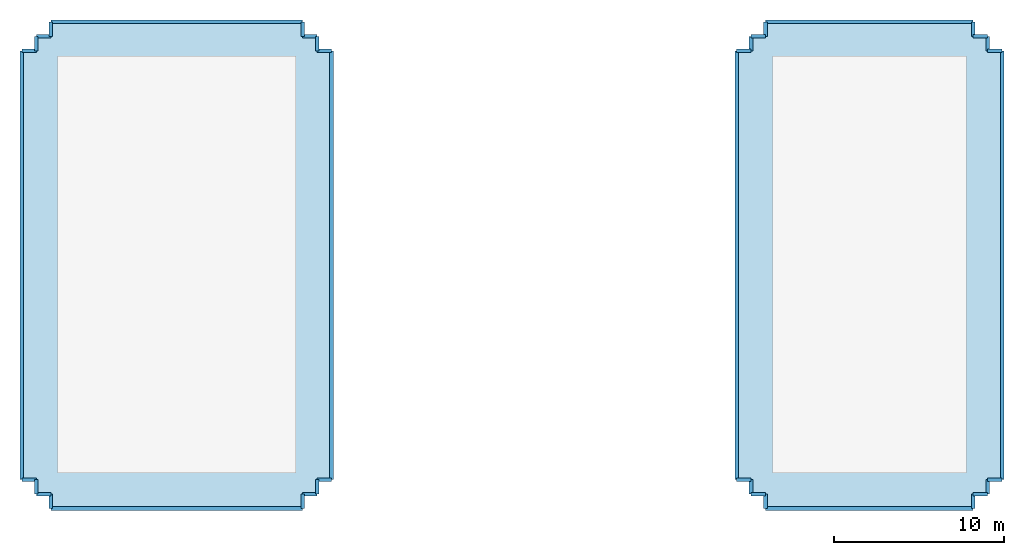
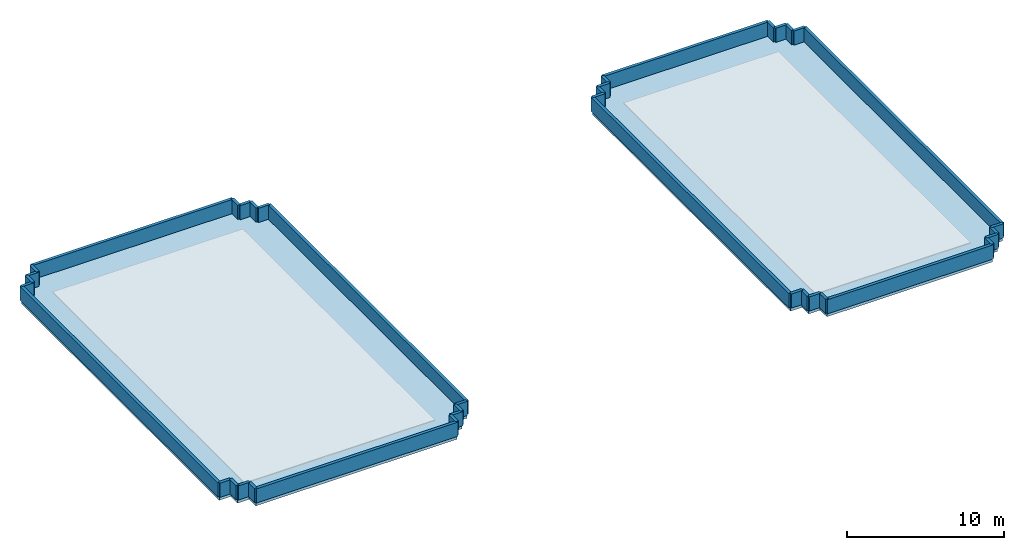
# One storey, part 1 of 2: 40 walls, 2 slabs.
"""IFC4 building model written with IfcOpenShell, lengths in metres."""

from ifc_helpers import new_model, si_unit, direction, frame, frame_2d, origin, place, context, subcontext, project, spatial, polyline, rectangle, outline, extrude, material, layer, layer_set, type_object, element, save


model = new_model("IFC4")

# Units and contexts
model_context = context("Model", 3, precision=1e-05, world=origin(), true_north=direction((0.0, 1.0)))
body_context = subcontext(model_context, "Body", "Model", "MODEL_VIEW")
ifc_project = project(units=[si_unit("LENGTHUNIT", "METRE"), si_unit("AREAUNIT", "SQUARE_METRE"), si_unit("VOLUMEUNIT", "CUBIC_METRE"), si_unit("PLANEANGLEUNIT", "RADIAN"), si_unit("MASSUNIT", "GRAM", prefix="KILO")], contexts=[model_context])

# Site, building, storey
site_placement = place(None, origin())
site = spatial("IfcSite", under=ifc_project, at=site_placement, CompositionType="ELEMENT")
building_placement = place(site_placement, origin())
building = spatial("IfcBuilding", under=site, at=building_placement, Name="Trelvane Seafront Commons", CompositionType="ELEMENT")
storey_placement = place(building_placement, frame((0.0, 0.0, 325.10009765625)))
storey = spatial("IfcBuildingStorey", under=building, at=storey_placement, Name="RF", CompositionType="ELEMENT", Elevation=325.10009765625)

# Slabs
ifc_material_1 = material(Name="Concrete C40/50", Category="concrete")
ifc_layer_1 = layer(ifc_material_1, 0.31005859375, Name="STR-ROOF-310")
ifc_layer_set_1 = layer_set([ifc_layer_1], Name="Concrete C40/50")
slab_type = type_object("IfcSlabType", Name="STR-ROOF-310", PredefinedType="ROOF", material=ifc_layer_set_1)
slab_1_placement = place(storey_placement, frame((0.0, 0.0, -0.300048828125)))
element("IfcSlab", 1, at=slab_1_placement, inside=storey, type_object=slab_type, Name="Crown West Peak Cap Roof Slab RF", PredefinedType="ROOF", context=body_context, shape_type="SweptSolid", body=[
    extrude(outline(polyline([(10.10009765625, 17.39990234375), (24.89990234375, 17.39990234375), (24.89990234375, 18.25), (25.75, 18.25), (25.75, 19.10009765625), (26.60009765625, 19.10009765625), (26.60009765625, 44.300048828125), (25.75, 44.300048828125), (25.75, 45.14990234375), (24.89990234375, 45.14990234375), (24.89990234375, 46.0), (10.10009765625, 46.0), (10.10009765625, 45.14990234375), (9.25, 45.14990234375), (9.25, 44.300048828125), (8.39990234375, 44.300048828125), (8.39990234375, 19.10009765625), (9.25, 19.10009765625), (9.25, 18.25), (10.10009765625, 18.25), (10.10009765625, 17.39990234375)])), origin(), (0.0, 0.0, 1.0), 0.300048828125),
])
slab_2_placement = place(storey_placement, frame((0.0, 0.0, -0.300048828125)))
element("IfcSlab", 2, at=slab_2_placement, inside=storey, type_object=slab_type, Name="Crown East Peak Cap Roof Slab RF", PredefinedType="ROOF", context=body_context, shape_type="SweptSolid", body=[
    extrude(outline(polyline([(52.10009765625, 17.39990234375), (64.300048828125, 17.39990234375), (64.300048828125, 18.25), (65.14990234375, 18.25), (65.14990234375, 19.10009765625), (66.0, 19.10009765625), (66.0, 44.300048828125), (65.14990234375, 44.300048828125), (65.14990234375, 45.14990234375), (64.300048828125, 45.14990234375), (64.300048828125, 46.0), (52.10009765625, 46.0), (52.10009765625, 45.14990234375), (51.25, 45.14990234375), (51.25, 44.300048828125), (50.39990234375, 44.300048828125), (50.39990234375, 19.10009765625), (51.25, 19.10009765625), (51.25, 18.25), (52.10009765625, 18.25), (52.10009765625, 17.39990234375)])), origin(), (0.0, 0.0, 1.0), 0.300048828125),
])

# Walls
ifc_material_2 = material(Name="Precast concrete C40/50", Category="concrete")
ifc_layer_2 = layer(ifc_material_2, 0.219970703125, Name="ARCH-WALL-PARAPET220")
ifc_layer_set_2 = layer_set([ifc_layer_2], Name="Precast concrete C40/50")
wall_type = type_object("IfcWallType", Name="ARCH-WALL-PARAPET220", PredefinedType="PARAPET", material=ifc_layer_set_2)
wall_1_placement = place(storey_placement, frame((10.10009765625, 17.39990234375, 0.0), z_axis=(0.0, 0.0, 1.0), x_axis=(1.0, 0.0, 0.0)))
element("IfcWall", 3, at=wall_1_placement, inside=storey, type_object=wall_type, Name="PAR-RF-1823", PredefinedType="PARAPET", context=body_context, shape_type="SweptSolid", body=[
    extrude(rectangle(XDim=14.7998046875, YDim=0.219970703125, at=frame_2d((7.39990234375, 0.0))), origin(), (0.0, 0.0, 1.0), 1.099853515625),
])
for number, where, z_axis, x_axis, name in (
    (4, (24.89990234375, 17.39990234375, 0.0), (0.0, 0.0, 1.0), (0.0, 1.0, 0.0), "PAR-RF-1824"),
    (5, (24.89990234375, 18.25, 0.0), (0.0, 0.0, 1.0), (1.0, 0.0, 0.0), "PAR-RF-1825"),
    (6, (25.75, 18.25, 0.0), (0.0, 0.0, 1.0), (0.0, 1.0, 0.0), "PAR-RF-1826"),
    (7, (25.75, 19.10009765625, 0.0), (0.0, 0.0, 1.0), (1.0, 0.0, 0.0), "PAR-RF-1827"),
):
    element("IfcWall", number, at=place(storey_placement, frame(where, z_axis=z_axis, x_axis=x_axis)), inside=storey, type_object=wall_type, Name=name, PredefinedType="PARAPET", context=body_context, shape_type="SweptSolid", body=[
        extrude(rectangle(XDim=0.85009765625, YDim=0.219970703125, at=frame_2d((0.425048828125, 0.0))), origin(), (0.0, 0.0, 1.0), 1.099853515625),
    ])
wall_2_placement = place(storey_placement, frame((26.60009765625, 19.10009765625, 0.0), z_axis=(0.0, 0.0, 1.0), x_axis=(0.0, 1.0, 0.0)))
element("IfcWall", 8, at=wall_2_placement, inside=storey, type_object=wall_type, Name="PAR-RF-1828", PredefinedType="PARAPET", context=body_context, shape_type="SweptSolid", body=[
    extrude(rectangle(XDim=25.199951171875, YDim=0.219970703125, at=frame_2d((12.60009765625, 0.0))), origin(), (0.0, 0.0, 1.0), 1.099853515625),
])
wall_3_placement = place(storey_placement, frame((26.60009765625, 44.300048828125, 0.0), z_axis=(0.0, 0.0, 1.0), x_axis=(-1.0, 0.0, 0.0)))
element("IfcWall", 9, at=wall_3_placement, inside=storey, type_object=wall_type, Name="PAR-RF-1829", PredefinedType="PARAPET", context=body_context, shape_type="SweptSolid", body=[
    extrude(rectangle(XDim=0.85009765625, YDim=0.219970703125, at=frame_2d((0.425048828125, 0.0))), origin(), (0.0, 0.0, 1.0), 1.099853515625),
])
wall_4_placement = place(storey_placement, frame((25.75, 44.300048828125, 0.0), z_axis=(0.0, 0.0, 1.0), x_axis=(0.0, 1.0, 0.0)))
element("IfcWall", 10, at=wall_4_placement, inside=storey, type_object=wall_type, Name="PAR-RF-1830", PredefinedType="PARAPET", context=body_context, shape_type="SweptSolid", body=[
    extrude(rectangle(XDim=0.849853515625, YDim=0.219970703125, at=frame_2d((0.4248046875, 0.0))), origin(), (0.0, 0.0, 1.0), 1.099853515625),
])
for number, where, z_axis, x_axis, name in (
    (11, (25.75, 45.14990234375, 0.0), (0.0, 0.0, 1.0), (-1.0, 0.0, 0.0), "PAR-RF-1831"),
    (12, (24.89990234375, 45.14990234375, 0.0), (0.0, 0.0, 1.0), (0.0, 1.0, 0.0), "PAR-RF-1832"),
):
    element("IfcWall", number, at=place(storey_placement, frame(where, z_axis=z_axis, x_axis=x_axis)), inside=storey, type_object=wall_type, Name=name, PredefinedType="PARAPET", context=body_context, shape_type="SweptSolid", body=[
        extrude(rectangle(XDim=0.85009765625, YDim=0.219970703125, at=frame_2d((0.425048828125, 0.0))), origin(), (0.0, 0.0, 1.0), 1.099853515625),
    ])
wall_5_placement = place(storey_placement, frame((24.89990234375, 46.0, 0.0), z_axis=(0.0, 0.0, 1.0), x_axis=(-1.0, 0.0, 0.0)))
element("IfcWall", 13, at=wall_5_placement, inside=storey, type_object=wall_type, Name="PAR-RF-1833", PredefinedType="PARAPET", context=body_context, shape_type="SweptSolid", body=[
    extrude(rectangle(XDim=14.7998046875, YDim=0.219970703125, at=frame_2d((7.39990234375, 0.0))), origin(), (0.0, 0.0, 1.0), 1.099853515625),
])
for number, where, z_axis, x_axis, name in (
    (14, (10.10009765625, 46.0, 0.0), (0.0, 0.0, 1.0), (0.0, -1.0, 0.0), "PAR-RF-1834"),
    (15, (10.10009765625, 45.14990234375, 0.0), (0.0, 0.0, 1.0), (-1.0, 0.0, 0.0), "PAR-RF-1835"),
):
    element("IfcWall", number, at=place(storey_placement, frame(where, z_axis=z_axis, x_axis=x_axis)), inside=storey, type_object=wall_type, Name=name, PredefinedType="PARAPET", context=body_context, shape_type="SweptSolid", body=[
        extrude(rectangle(XDim=0.85009765625, YDim=0.219970703125, at=frame_2d((0.425048828125, 0.0))), origin(), (0.0, 0.0, 1.0), 1.099853515625),
    ])
wall_6_placement = place(storey_placement, frame((9.25, 45.14990234375, 0.0), z_axis=(0.0, 0.0, 1.0), x_axis=(0.0, -1.0, 0.0)))
element("IfcWall", 16, at=wall_6_placement, inside=storey, type_object=wall_type, Name="PAR-RF-1836", PredefinedType="PARAPET", context=body_context, shape_type="SweptSolid", body=[
    extrude(rectangle(XDim=0.849853515625, YDim=0.219970703125, at=frame_2d((0.4248046875, 0.0))), origin(), (0.0, 0.0, 1.0), 1.099853515625),
])
wall_7_placement = place(storey_placement, frame((9.25, 44.300048828125, 0.0), z_axis=(0.0, 0.0, 1.0), x_axis=(-1.0, 0.0, 0.0)))
element("IfcWall", 17, at=wall_7_placement, inside=storey, type_object=wall_type, Name="PAR-RF-1837", PredefinedType="PARAPET", context=body_context, shape_type="SweptSolid", body=[
    extrude(rectangle(XDim=0.85009765625, YDim=0.219970703125, at=frame_2d((0.425048828125, 0.0))), origin(), (0.0, 0.0, 1.0), 1.099853515625),
])
wall_8_placement = place(storey_placement, frame((8.39990234375, 44.300048828125, 0.0), z_axis=(0.0, 0.0, 1.0), x_axis=(0.0, -1.0, 0.0)))
element("IfcWall", 18, at=wall_8_placement, inside=storey, type_object=wall_type, Name="PAR-RF-1838", PredefinedType="PARAPET", context=body_context, shape_type="SweptSolid", body=[
    extrude(rectangle(XDim=25.199951171875, YDim=0.219970703125, at=frame_2d((12.60009765625, 0.0))), origin(), (0.0, 0.0, 1.0), 1.099853515625),
])
for number, where, z_axis, x_axis, name in (
    (19, (8.39990234375, 19.10009765625, 0.0), (0.0, 0.0, 1.0), (1.0, 0.0, 0.0), "PAR-RF-1839"),
    (20, (9.25, 19.10009765625, 0.0), (0.0, 0.0, 1.0), (0.0, -1.0, 0.0), "PAR-RF-1840"),
    (21, (9.25, 18.25, 0.0), (0.0, 0.0, 1.0), (1.0, 0.0, 0.0), "PAR-RF-1841"),
    (22, (10.10009765625, 18.25, 0.0), (0.0, 0.0, 1.0), (0.0, -1.0, 0.0), "PAR-RF-1842"),
):
    element("IfcWall", number, at=place(storey_placement, frame(where, z_axis=z_axis, x_axis=x_axis)), inside=storey, type_object=wall_type, Name=name, PredefinedType="PARAPET", context=body_context, shape_type="SweptSolid", body=[
        extrude(rectangle(XDim=0.85009765625, YDim=0.219970703125, at=frame_2d((0.425048828125, 0.0))), origin(), (0.0, 0.0, 1.0), 1.099853515625),
    ])
wall_9_placement = place(storey_placement, frame((52.10009765625, 17.39990234375, 0.0), z_axis=(0.0, 0.0, 1.0), x_axis=(1.0, 0.0, 0.0)))
element("IfcWall", 23, at=wall_9_placement, inside=storey, type_object=wall_type, Name="PAR-RF-1843", PredefinedType="PARAPET", context=body_context, shape_type="SweptSolid", body=[
    extrude(rectangle(XDim=12.199951171875, YDim=0.219970703125, at=frame_2d((6.10009765625, 0.0))), origin(), (0.0, 0.0, 1.0), 1.099853515625),
])
wall_10_placement = place(storey_placement, frame((64.300048828125, 17.39990234375, 0.0), z_axis=(0.0, 0.0, 1.0), x_axis=(0.0, 1.0, 0.0)))
element("IfcWall", 24, at=wall_10_placement, inside=storey, type_object=wall_type, Name="PAR-RF-1844", PredefinedType="PARAPET", context=body_context, shape_type="SweptSolid", body=[
    extrude(rectangle(XDim=0.85009765625, YDim=0.219970703125, at=frame_2d((0.425048828125, 0.0))), origin(), (0.0, 0.0, 1.0), 1.099853515625),
])
wall_11_placement = place(storey_placement, frame((64.300048828125, 18.25, 0.0), z_axis=(0.0, 0.0, 1.0), x_axis=(1.0, 0.0, 0.0)))
element("IfcWall", 25, at=wall_11_placement, inside=storey, type_object=wall_type, Name="PAR-RF-1845", PredefinedType="PARAPET", context=body_context, shape_type="SweptSolid", body=[
    extrude(rectangle(XDim=0.849853515625, YDim=0.219970703125, at=frame_2d((0.4248046875, 0.0))), origin(), (0.0, 0.0, 1.0), 1.099853515625),
])
for number, where, z_axis, x_axis, name in (
    (26, (65.14990234375, 18.25, 0.0), (0.0, 0.0, 1.0), (0.0, 1.0, 0.0), "PAR-RF-1846"),
    (27, (65.14990234375, 19.10009765625, 0.0), (0.0, 0.0, 1.0), (1.0, 0.0, 0.0), "PAR-RF-1847"),
):
    element("IfcWall", number, at=place(storey_placement, frame(where, z_axis=z_axis, x_axis=x_axis)), inside=storey, type_object=wall_type, Name=name, PredefinedType="PARAPET", context=body_context, shape_type="SweptSolid", body=[
        extrude(rectangle(XDim=0.85009765625, YDim=0.219970703125, at=frame_2d((0.425048828125, 0.0))), origin(), (0.0, 0.0, 1.0), 1.099853515625),
    ])
wall_12_placement = place(storey_placement, frame((66.0, 19.10009765625, 0.0), z_axis=(0.0, 0.0, 1.0), x_axis=(0.0, 1.0, 0.0)))
element("IfcWall", 28, at=wall_12_placement, inside=storey, type_object=wall_type, Name="PAR-RF-1848", PredefinedType="PARAPET", context=body_context, shape_type="SweptSolid", body=[
    extrude(rectangle(XDim=25.199951171875, YDim=0.219970703125, at=frame_2d((12.60009765625, 0.0))), origin(), (0.0, 0.0, 1.0), 1.099853515625),
])
wall_13_placement = place(storey_placement, frame((66.0, 44.300048828125, 0.0), z_axis=(0.0, 0.0, 1.0), x_axis=(-1.0, 0.0, 0.0)))
element("IfcWall", 29, at=wall_13_placement, inside=storey, type_object=wall_type, Name="PAR-RF-1849", PredefinedType="PARAPET", context=body_context, shape_type="SweptSolid", body=[
    extrude(rectangle(XDim=0.85009765625, YDim=0.219970703125, at=frame_2d((0.425048828125, 0.0))), origin(), (0.0, 0.0, 1.0), 1.099853515625),
])
for number, where, z_axis, x_axis, name in (
    (30, (65.14990234375, 44.300048828125, 0.0), (0.0, 0.0, 1.0), (0.0, 1.0, 0.0), "PAR-RF-1850"),
    (31, (65.14990234375, 45.14990234375, 0.0), (0.0, 0.0, 1.0), (-1.0, 0.0, 0.0), "PAR-RF-1851"),
):
    element("IfcWall", number, at=place(storey_placement, frame(where, z_axis=z_axis, x_axis=x_axis)), inside=storey, type_object=wall_type, Name=name, PredefinedType="PARAPET", context=body_context, shape_type="SweptSolid", body=[
        extrude(rectangle(XDim=0.849853515625, YDim=0.219970703125, at=frame_2d((0.4248046875, 0.0))), origin(), (0.0, 0.0, 1.0), 1.099853515625),
    ])
wall_14_placement = place(storey_placement, frame((64.300048828125, 45.14990234375, 0.0), z_axis=(0.0, 0.0, 1.0), x_axis=(0.0, 1.0, 0.0)))
element("IfcWall", 32, at=wall_14_placement, inside=storey, type_object=wall_type, Name="PAR-RF-1852", PredefinedType="PARAPET", context=body_context, shape_type="SweptSolid", body=[
    extrude(rectangle(XDim=0.85009765625, YDim=0.219970703125, at=frame_2d((0.425048828125, 0.0))), origin(), (0.0, 0.0, 1.0), 1.099853515625),
])
wall_15_placement = place(storey_placement, frame((64.300048828125, 46.0, 0.0), z_axis=(0.0, 0.0, 1.0), x_axis=(-1.0, 0.0, 0.0)))
element("IfcWall", 33, at=wall_15_placement, inside=storey, type_object=wall_type, Name="PAR-RF-1853", PredefinedType="PARAPET", context=body_context, shape_type="SweptSolid", body=[
    extrude(rectangle(XDim=12.199951171875, YDim=0.219970703125, at=frame_2d((6.10009765625, 0.0))), origin(), (0.0, 0.0, 1.0), 1.099853515625),
])
for number, where, z_axis, x_axis, name in (
    (34, (52.10009765625, 46.0, 0.0), (0.0, 0.0, 1.0), (0.0, -1.0, 0.0), "PAR-RF-1854"),
    (35, (52.10009765625, 45.14990234375, 0.0), (0.0, 0.0, 1.0), (-1.0, 0.0, 0.0), "PAR-RF-1855"),
):
    element("IfcWall", number, at=place(storey_placement, frame(where, z_axis=z_axis, x_axis=x_axis)), inside=storey, type_object=wall_type, Name=name, PredefinedType="PARAPET", context=body_context, shape_type="SweptSolid", body=[
        extrude(rectangle(XDim=0.85009765625, YDim=0.219970703125, at=frame_2d((0.425048828125, 0.0))), origin(), (0.0, 0.0, 1.0), 1.099853515625),
    ])
wall_16_placement = place(storey_placement, frame((51.25, 45.14990234375, 0.0), z_axis=(0.0, 0.0, 1.0), x_axis=(0.0, -1.0, 0.0)))
element("IfcWall", 36, at=wall_16_placement, inside=storey, type_object=wall_type, Name="PAR-RF-1856", PredefinedType="PARAPET", context=body_context, shape_type="SweptSolid", body=[
    extrude(rectangle(XDim=0.849853515625, YDim=0.219970703125, at=frame_2d((0.4248046875, 0.0))), origin(), (0.0, 0.0, 1.0), 1.099853515625),
])
wall_17_placement = place(storey_placement, frame((51.25, 44.300048828125, 0.0), z_axis=(0.0, 0.0, 1.0), x_axis=(-1.0, 0.0, 0.0)))
element("IfcWall", 37, at=wall_17_placement, inside=storey, type_object=wall_type, Name="PAR-RF-1857", PredefinedType="PARAPET", context=body_context, shape_type="SweptSolid", body=[
    extrude(rectangle(XDim=0.85009765625, YDim=0.219970703125, at=frame_2d((0.425048828125, 0.0))), origin(), (0.0, 0.0, 1.0), 1.099853515625),
])
wall_18_placement = place(storey_placement, frame((50.39990234375, 44.300048828125, 0.0), z_axis=(0.0, 0.0, 1.0), x_axis=(0.0, -1.0, 0.0)))
element("IfcWall", 38, at=wall_18_placement, inside=storey, type_object=wall_type, Name="PAR-RF-1858", PredefinedType="PARAPET", context=body_context, shape_type="SweptSolid", body=[
    extrude(rectangle(XDim=25.199951171875, YDim=0.219970703125, at=frame_2d((12.60009765625, 0.0))), origin(), (0.0, 0.0, 1.0), 1.099853515625),
])
for number, where, z_axis, x_axis, name in (
    (39, (50.39990234375, 19.10009765625, 0.0), (0.0, 0.0, 1.0), (1.0, 0.0, 0.0), "PAR-RF-1859"),
    (40, (51.25, 19.10009765625, 0.0), (0.0, 0.0, 1.0), (0.0, -1.0, 0.0), "PAR-RF-1860"),
    (41, (51.25, 18.25, 0.0), (0.0, 0.0, 1.0), (1.0, 0.0, 0.0), "PAR-RF-1861"),
    (42, (52.10009765625, 18.25, 0.0), (0.0, 0.0, 1.0), (0.0, -1.0, 0.0), "PAR-RF-1862"),
):
    element("IfcWall", number, at=place(storey_placement, frame(where, z_axis=z_axis, x_axis=x_axis)), inside=storey, type_object=wall_type, Name=name, PredefinedType="PARAPET", context=body_context, shape_type="SweptSolid", body=[
        extrude(rectangle(XDim=0.85009765625, YDim=0.219970703125, at=frame_2d((0.425048828125, 0.0))), origin(), (0.0, 0.0, 1.0), 1.099853515625),
    ])

save(model, "model.ifc")
